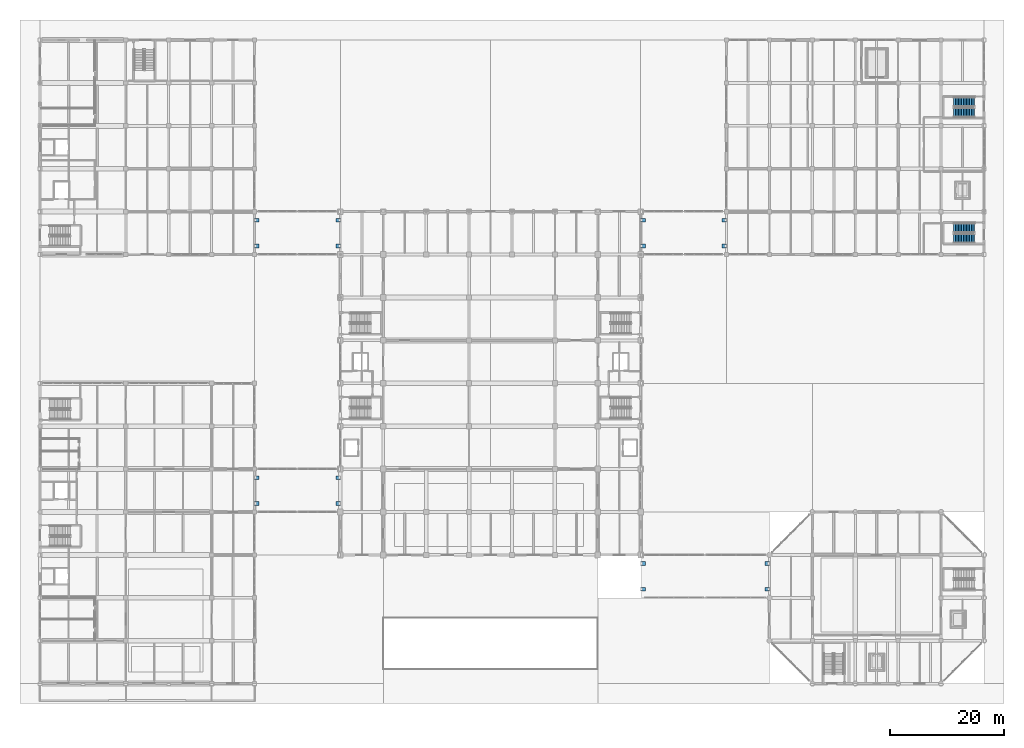
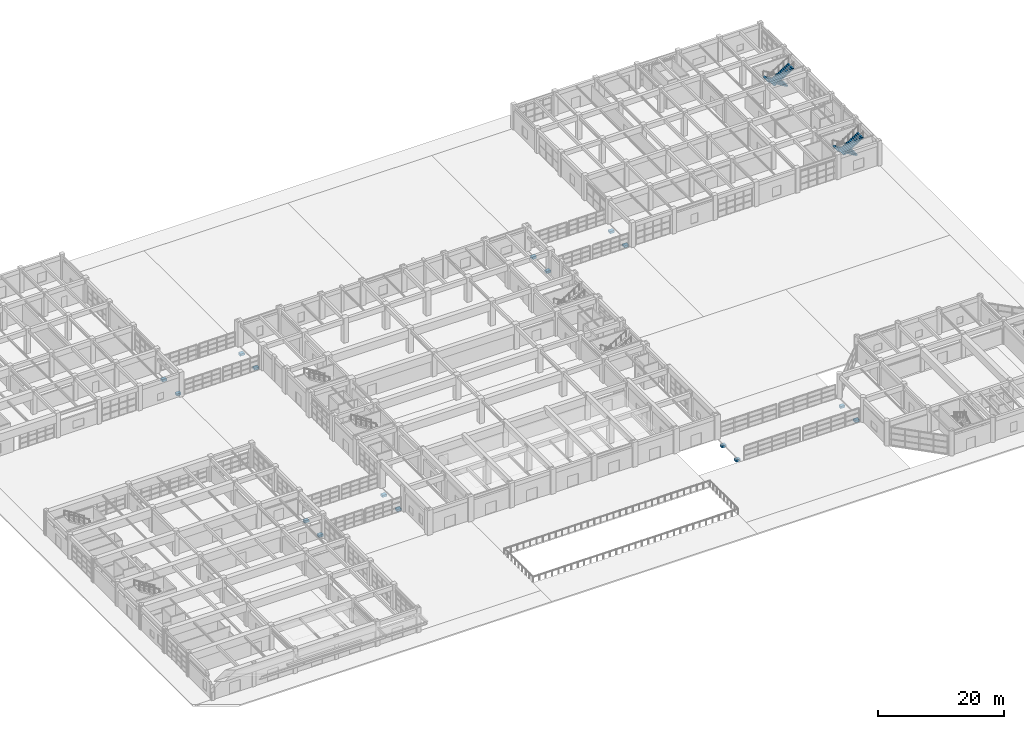
# One storey, part 98 of 122: 16 discrete accessories, 4 stair flights, 2 elements without a shape of their own.
"""IFC4 building model written with IfcOpenShell, lengths in metres."""

from ifc_helpers import new_model, si_unit, direction, frame, origin, origin_2d, place, context, subcontext, project, spatial, polyline, rectangle, outline, extrude, material, type_object, element, aggregate, save


model = new_model("IFC4")

# Units and contexts
model_context = context("Model", 3, precision=1e-05, world=origin(), true_north=direction((0.0, 1.0)))
body_context = subcontext(model_context, "Body", "Model", "MODEL_VIEW")
ifc_project = project(units=[si_unit("LENGTHUNIT", "METRE"), si_unit("AREAUNIT", "SQUARE_METRE"), si_unit("VOLUMEUNIT", "CUBIC_METRE"), si_unit("PLANEANGLEUNIT", "RADIAN"), si_unit("MASSUNIT", "GRAM", prefix="KILO")], contexts=[model_context])

# Site, building, storey
site_placement = place(None, origin())
site = spatial("IfcSite", under=ifc_project, at=site_placement, CompositionType="ELEMENT")
building_placement = place(site_placement, origin())
building = spatial("IfcBuilding", under=site, at=building_placement, Name="Qasida Concert Hall", CompositionType="ELEMENT")
storey_placement = place(building_placement, origin())
storey = spatial("IfcBuildingStorey", under=building, at=storey_placement, Name="L00", CompositionType="ELEMENT", Elevation=0.0)

# Stair, stair flights
ifc_material_1 = material(Name="Concrete C40/50", Category="concrete")
stair_type = type_object("IfcStairType", Name="ST-DL-165", PredefinedType="HALF_TURN_STAIR", material=ifc_material_1)
stair_1_placement = place(storey_placement, origin())
stair_1 = element("IfcStair", 1, at=stair_1_placement, inside=storey, type_object=stair_type, Name="L00 Exit stair ST-07", PredefinedType="HALF_TURN_STAIR")
stair_flight_type = type_object("IfcStairFlightType", Name="SF-DL-165", PredefinedType="STRAIGHT", material=ifc_material_1)
stair_flight_1_placement = place(storey_placement, frame((163.35009765625, 79.675048828125, 0.0), z_axis=(0.0, 0.0, 1.0), x_axis=(-1.0, 0.0, 0.0)))
stair_flight_1 = element("IfcStairFlight", 2, at=stair_flight_1_placement, type_object=stair_flight_type, Name="ST-07 flight 1", NumberOfRisers=14, NumberOfTreads=13, PredefinedType="STRAIGHT", RiserHeight=0.171428571, TreadLength=0.28, context=body_context, shape_type="SweptSolid", body=[
    extrude(outline(polyline([(0.0, 0.0), (0.0, 0.17138671875), (0.280029296875, 0.17138671875), (0.280029296875, 0.3427734375), (0.56005859375, 0.3427734375), (0.56005859375, 0.514404296875), (0.840087890625, 0.514404296875), (0.840087890625, 0.685791015625), (1.1201171875, 0.685791015625), (1.1201171875, 0.857177734375), (1.39990234375, 0.857177734375), (1.39990234375, 1.028564453125), (1.679931640625, 1.028564453125), (1.679931640625, 1.199951171875), (1.9599609375, 1.199951171875), (1.9599609375, 1.371337890625), (2.239990234375, 1.371337890625), (2.239990234375, 1.54296875), (2.52001953125, 1.54296875), (2.52001953125, 1.71435546875), (2.800048828125, 1.71435546875), (2.800048828125, 1.8857421875), (3.080078125, 1.8857421875), (3.080078125, 2.05712890625), (3.360107421875, 2.05712890625), (3.360107421875, 2.228515625), (3.639892578125, 2.228515625), (3.639892578125, 2.39990234375), (3.639892578125, 2.041015625), (0.30615234375, 0.0), (0.0, 0.0)])), frame((0.0, 0.824951171875, 0.0), z_axis=(0.0, -1.0, 0.0), x_axis=(1.0, 0.0, 0.0)), (0.0, 0.0, 1.0), 1.64990234375),
])
stair_flight_2_placement = place(storey_placement, frame((159.7099609375, 77.824951171875, 2.39990234375), z_axis=(0.0, 0.0, 1.0), x_axis=(1.0, 0.0, 0.0)))
stair_flight_2 = element("IfcStairFlight", 3, at=stair_flight_2_placement, type_object=stair_flight_type, Name="ST-07 flight 2", NumberOfRisers=14, NumberOfTreads=13, PredefinedType="STRAIGHT", RiserHeight=0.171428571, TreadLength=0.28, context=body_context, shape_type="SweptSolid", body=[
    extrude(outline(polyline([(0.0, 0.0), (0.0, 0.17138671875), (0.280029296875, 0.17138671875), (0.280029296875, 0.3427734375), (0.56005859375, 0.3427734375), (0.56005859375, 0.514404296875), (0.840087890625, 0.514404296875), (0.840087890625, 0.685791015625), (1.1201171875, 0.685791015625), (1.1201171875, 0.857177734375), (1.39990234375, 0.857177734375), (1.39990234375, 1.028564453125), (1.679931640625, 1.028564453125), (1.679931640625, 1.199951171875), (1.9599609375, 1.199951171875), (1.9599609375, 1.371337890625), (2.239990234375, 1.371337890625), (2.239990234375, 1.54296875), (2.52001953125, 1.54296875), (2.52001953125, 1.71435546875), (2.800048828125, 1.71435546875), (2.800048828125, 1.8857421875), (3.080078125, 1.8857421875), (3.080078125, 2.05712890625), (3.360107421875, 2.05712890625), (3.360107421875, 2.228515625), (3.639892578125, 2.228515625), (3.639892578125, 2.39990234375), (3.639892578125, 2.041015625), (0.30615234375, 0.0), (0.0, 0.0)])), frame((0.0, 0.824951171875, 0.0), z_axis=(0.0, -1.0, 0.0), x_axis=(1.0, 0.0, 0.0)), (0.0, 0.0, 1.0), 1.64990234375),
])
aggregate(stair_1, [stair_flight_1, stair_flight_2])

stair_2_placement = place(storey_placement, origin())
stair_2 = element("IfcStair", 4, at=stair_2_placement, inside=storey, type_object=stair_type, Name="L00 Exit stair ST-08", PredefinedType="HALF_TURN_STAIR")
stair_flight_3_placement = place(storey_placement, frame((163.35009765625, 101.675048828125, 0.0), z_axis=(0.0, 0.0, 1.0), x_axis=(-1.0, 0.0, 0.0)))
stair_flight_3 = element("IfcStairFlight", 5, at=stair_flight_3_placement, type_object=stair_flight_type, Name="ST-08 flight 1", NumberOfRisers=14, NumberOfTreads=13, PredefinedType="STRAIGHT", RiserHeight=0.171428571, TreadLength=0.28, context=body_context, shape_type="SweptSolid", body=[
    extrude(outline(polyline([(0.0, 0.0), (0.0, 0.17138671875), (0.280029296875, 0.17138671875), (0.280029296875, 0.3427734375), (0.56005859375, 0.3427734375), (0.56005859375, 0.514404296875), (0.840087890625, 0.514404296875), (0.840087890625, 0.685791015625), (1.1201171875, 0.685791015625), (1.1201171875, 0.857177734375), (1.39990234375, 0.857177734375), (1.39990234375, 1.028564453125), (1.679931640625, 1.028564453125), (1.679931640625, 1.199951171875), (1.9599609375, 1.199951171875), (1.9599609375, 1.371337890625), (2.239990234375, 1.371337890625), (2.239990234375, 1.54296875), (2.52001953125, 1.54296875), (2.52001953125, 1.71435546875), (2.800048828125, 1.71435546875), (2.800048828125, 1.8857421875), (3.080078125, 1.8857421875), (3.080078125, 2.05712890625), (3.360107421875, 2.05712890625), (3.360107421875, 2.228515625), (3.639892578125, 2.228515625), (3.639892578125, 2.39990234375), (3.639892578125, 2.041015625), (0.30615234375, 0.0), (0.0, 0.0)])), frame((0.0, 0.824951171875, 0.0), z_axis=(0.0, -1.0, 0.0), x_axis=(1.0, 0.0, 0.0)), (0.0, 0.0, 1.0), 1.64990234375),
])
stair_flight_4_placement = place(storey_placement, frame((159.7099609375, 99.824951171875, 2.39990234375), z_axis=(0.0, 0.0, 1.0), x_axis=(1.0, 0.0, 0.0)))
stair_flight_4 = element("IfcStairFlight", 6, at=stair_flight_4_placement, type_object=stair_flight_type, Name="ST-08 flight 2", NumberOfRisers=14, NumberOfTreads=13, PredefinedType="STRAIGHT", RiserHeight=0.171428571, TreadLength=0.28, context=body_context, shape_type="SweptSolid", body=[
    extrude(outline(polyline([(0.0, 0.0), (0.0, 0.17138671875), (0.280029296875, 0.17138671875), (0.280029296875, 0.3427734375), (0.56005859375, 0.3427734375), (0.56005859375, 0.514404296875), (0.840087890625, 0.514404296875), (0.840087890625, 0.685791015625), (1.1201171875, 0.685791015625), (1.1201171875, 0.857177734375), (1.39990234375, 0.857177734375), (1.39990234375, 1.028564453125), (1.679931640625, 1.028564453125), (1.679931640625, 1.199951171875), (1.9599609375, 1.199951171875), (1.9599609375, 1.371337890625), (2.239990234375, 1.371337890625), (2.239990234375, 1.54296875), (2.52001953125, 1.54296875), (2.52001953125, 1.71435546875), (2.800048828125, 1.71435546875), (2.800048828125, 1.8857421875), (3.080078125, 1.8857421875), (3.080078125, 2.05712890625), (3.360107421875, 2.05712890625), (3.360107421875, 2.228515625), (3.639892578125, 2.228515625), (3.639892578125, 2.39990234375), (3.639892578125, 2.041015625), (0.30615234375, 0.0), (0.0, 0.0)])), frame((0.0, 0.824951171875, 0.0), z_axis=(0.0, -1.0, 0.0), x_axis=(1.0, 0.0, 0.0)), (0.0, 0.0, 1.0), 1.64990234375),
])
aggregate(stair_2, [stair_flight_3, stair_flight_4])

# Discrete accessories
ifc_material_2 = material(Name="Concrete C50/60", Category="concrete")
discrete_accessory_type = type_object("IfcDiscreteAccessoryType", Name="ACC-CORBEL-800", PredefinedType="BRACKET", material=ifc_material_2)
for number, where, z_axis, x_axis, name in (
    (7, (37.89990234375, 31.5, -0.820068359375), (0.0, 0.0, 1.0), (1.0, 0.0, 0.0), "Seismic bridge corbel seat CB-800-001"),
    (8, (37.89990234375, 36.0, -0.820068359375), (0.0, 0.0, 1.0), (1.0, 0.0, 0.0), "Seismic bridge corbel seat CB-800-002"),
    (9, (52.10009765625, 31.5, -0.820068359375), (0.0, 0.0, 1.0), (1.0, 0.0, 0.0), "Seismic bridge corbel seat CB-800-003"),
    (10, (52.10009765625, 36.0, -0.820068359375), (0.0, 0.0, 1.0), (1.0, 0.0, 0.0), "Seismic bridge corbel seat CB-800-004"),
    (11, (37.89990234375, 76.5, -0.820068359375), (0.0, 0.0, 1.0), (1.0, 0.0, 0.0), "Seismic bridge corbel seat CB-800-017"),
    (12, (37.89990234375, 81.0, -0.820068359375), (0.0, 0.0, 1.0), (1.0, 0.0, 0.0), "Seismic bridge corbel seat CB-800-018"),
    (13, (52.10009765625, 76.5, -0.820068359375), (0.0, 0.0, 1.0), (1.0, 0.0, 0.0), "Seismic bridge corbel seat CB-800-019"),
    (14, (52.10009765625, 81.0, -0.820068359375), (0.0, 0.0, 1.0), (1.0, 0.0, 0.0), "Seismic bridge corbel seat CB-800-020"),
    (15, (105.39990234375, 76.5, -0.820068359375), (0.0, 0.0, 1.0), (1.0, 0.0, 0.0), "Seismic bridge corbel seat CB-800-029"),
    (16, (105.39990234375, 81.0, -0.820068359375), (0.0, 0.0, 1.0), (1.0, 0.0, 0.0), "Seismic bridge corbel seat CB-800-030"),
    (17, (119.60009765625, 76.5, -0.820068359375), (0.0, 0.0, 1.0), (1.0, 0.0, 0.0), "Seismic bridge corbel seat CB-800-031"),
    (18, (119.60009765625, 81.0, -0.820068359375), (0.0, 0.0, 1.0), (1.0, 0.0, 0.0), "Seismic bridge corbel seat CB-800-032"),
    (19, (105.39990234375, 16.5, -0.820068359375), (0.0, 0.0, 1.0), (1.0, 0.0, 0.0), "Seismic bridge corbel seat CB-800-037"),
    (20, (105.39990234375, 21.0, -0.820068359375), (0.0, 0.0, 1.0), (1.0, 0.0, 0.0), "Seismic bridge corbel seat CB-800-038"),
    (21, (127.10009765625, 16.5, -0.820068359375), (0.0, 0.0, 1.0), (1.0, 0.0, 0.0), "Seismic bridge corbel seat CB-800-039"),
    (22, (127.10009765625, 21.0, -0.820068359375), (0.0, 0.0, 1.0), (1.0, 0.0, 0.0), "Seismic bridge corbel seat CB-800-040"),
):
    element("IfcDiscreteAccessory", number, at=place(storey_placement, frame(where, z_axis=z_axis, x_axis=x_axis)), inside=storey, type_object=discrete_accessory_type, Name=name, PredefinedType="BRACKET", context=body_context, shape_type="SweptSolid", body=[
        extrude(rectangle(XDim=0.800048828125, YDim=0.64990234375, at=origin_2d()), origin(), (0.0, 0.0, 1.0), 0.419921875),
    ])

save(model, "model.ifc")
